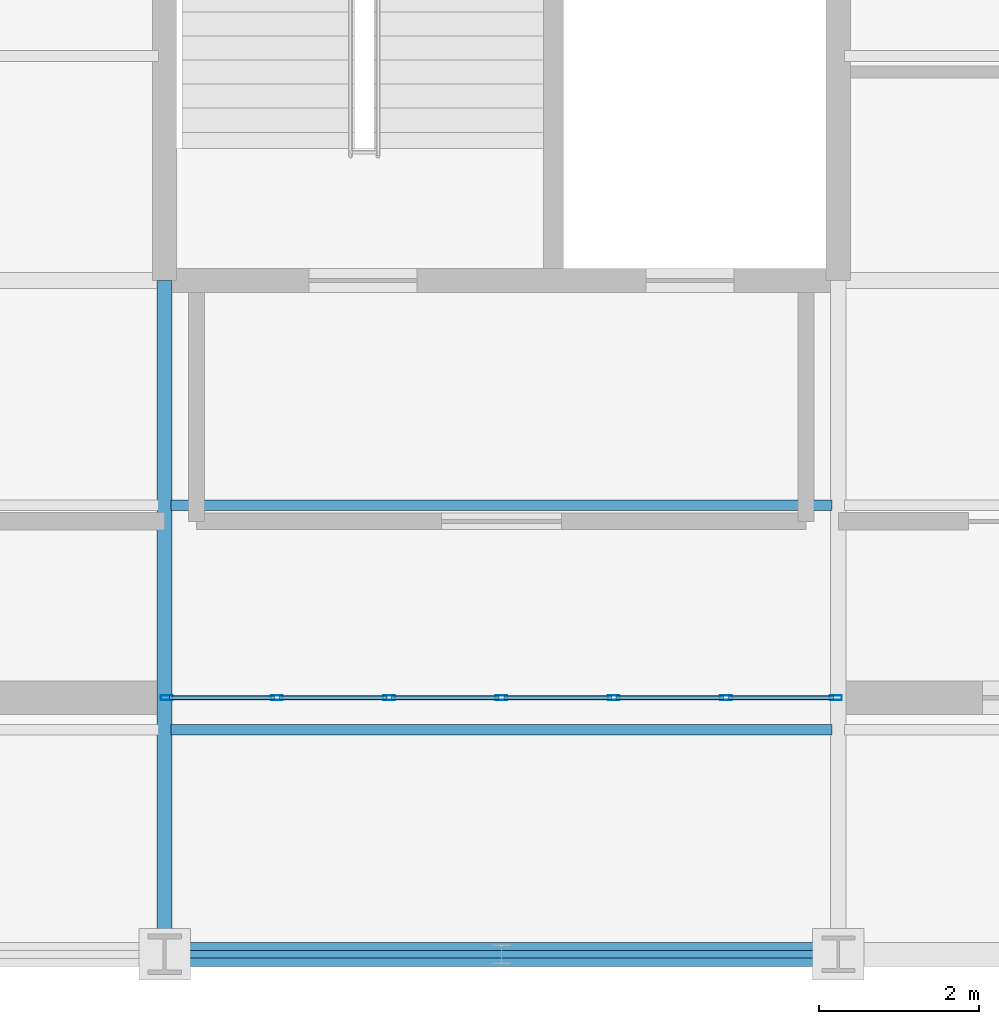
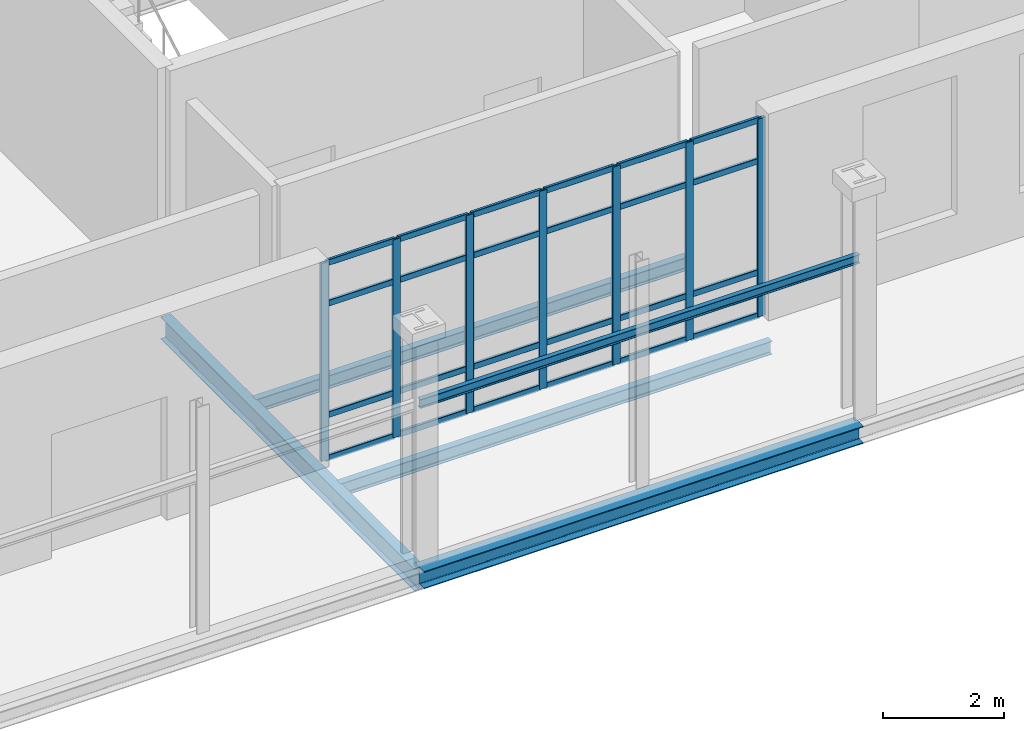
# One storey, part 29 of 145: 31 members, 5 beams, 1 element without a shape of its own.
"""IFC4 building model written with IfcOpenShell, lengths in metres."""

from ifc_helpers import new_model, si_unit, direction, frame, origin, origin_2d, place, context, subcontext, project, spatial, hollow_rectangle, i_section, extrude, material, layer, layer_set, material_profile, profile_set, type_object, element, aggregate, save


model = new_model("IFC4")

# Units and contexts
model_context = context("Model", 3, precision=1e-05, world=origin(), true_north=direction((0.0, 1.0)))
body_context = subcontext(model_context, "Body", "Model", "MODEL_VIEW")
ifc_project = project(units=[si_unit("LENGTHUNIT", "METRE"), si_unit("AREAUNIT", "SQUARE_METRE"), si_unit("VOLUMEUNIT", "CUBIC_METRE"), si_unit("PLANEANGLEUNIT", "RADIAN"), si_unit("MASSUNIT", "GRAM", prefix="KILO")], contexts=[model_context])

# Site, building, storey
site_placement = place(None, origin())
site = spatial("IfcSite", under=ifc_project, at=site_placement, CompositionType="ELEMENT")
building_placement = place(site_placement, origin())
building = spatial("IfcBuilding", under=site, at=building_placement, Name="Qalvenar Corner Mobility Hub", CompositionType="ELEMENT")
storey_placement = place(building_placement, origin())
storey = spatial("IfcBuildingStorey", under=building, at=storey_placement, Name="L00", CompositionType="ELEMENT", Elevation=0.0)

# Beams
ifc_material_1 = material(Name="Steel S355", Category="steel")
ifc_material_profile_1 = material_profile(ifc_material_1, i_section(OverallWidth=0.18994140625, OverallDepth=0.449951171875, WebThickness=0.009521484375, FlangeThickness=0.0146484375, FilletRadius=0.02099609375, at=origin_2d()), Name="IPE450")
ifc_profile_set_1 = profile_set([ifc_material_profile_1], Name="Steel S355")
beam_type_1 = type_object("IfcBeamType", Name="BM-IPE450", PredefinedType="BEAM", material=ifc_profile_set_1)
beam_1_placement = place(storey_placement, frame((33.60009765625, 0.0, -0.445068359375), z_axis=(0.0, 1.0, 0.0), x_axis=(-1.0, 0.0, 0.0)))
element("IfcBeam", 1, at=beam_1_placement, inside=storey, type_object=beam_type_1, Name="Primary Steel Girder GY-0057", PredefinedType="BEAM", context=body_context, shape_type="SweptSolid", body=[
    extrude(i_section(OverallWidth=0.18994140625, OverallDepth=0.449951171875, WebThickness=0.009521484375, FlangeThickness=0.0146484375, FilletRadius=0.02099609375, at=origin_2d()), origin(), (0.0, 0.0, 1.0), 8.39990234375),
])
ifc_material_profile_2 = material_profile(ifc_material_1, i_section(OverallWidth=0.135009765625, OverallDepth=0.27001953125, WebThickness=0.006591796875, FlangeThickness=0.01025390625, FilletRadius=0.014892578125, at=origin_2d()), Name="IPE270")
ifc_profile_set_2 = profile_set([ifc_material_profile_2], Name="Steel S355")
beam_type_2 = type_object("IfcBeamType", Name="BM-JST270", PredefinedType="JOIST", material=ifc_profile_set_2)
for number, where, z_axis, x_axis, name in (
    (2, (33.677978515625, 2.800048828125, -0.35498046875), (1.0, 0.0, 0.0), (0.0, 1.0, 0.0), "Composite Floor Joist J-0111"),
    (3, (33.677978515625, 5.60009765625, -0.35498046875), (1.0, 0.0, 0.0), (0.0, 1.0, 0.0), "Composite Floor Joist J-0112"),
):
    element("IfcBeam", number, at=place(storey_placement, frame(where, z_axis=z_axis, x_axis=x_axis)), inside=storey, type_object=beam_type_2, Name=name, PredefinedType="JOIST", context=body_context, shape_type="SweptSolid", body=[
        extrude(i_section(OverallWidth=0.135009765625, OverallDepth=0.27001953125, WebThickness=0.006591796875, FlangeThickness=0.01025390625, FilletRadius=0.014892578125, at=origin_2d()), origin(), (0.0, 0.0, 1.0), 8.244140625),
    ])
ifc_material_profile_3 = material_profile(ifc_material_1, i_section(OverallWidth=0.091064453125, OverallDepth=0.179931640625, WebThickness=0.00537109375, FlangeThickness=0.008056640625, FilletRadius=0.009033203125, at=origin_2d()), Name="IPE180")
ifc_profile_set_3 = profile_set([ifc_material_profile_3], Name="Steel S355")
beam_type_3 = type_object("IfcBeamType", Name="BM-LNT180", PredefinedType="LINTEL", material=ifc_profile_set_3)
beam_2_placement = place(storey_placement, frame((33.60009765625, 0.0, 3.10009765625), z_axis=(1.0, 0.0, 0.0), x_axis=(0.0, 1.0, 0.0)))
element("IfcBeam", 4, at=beam_2_placement, inside=storey, type_object=beam_type_3, Name="Colonnade Shade Transom PRG-4", PredefinedType="LINTEL", context=body_context, shape_type="SweptSolid", body=[
    extrude(i_section(OverallWidth=0.091064453125, OverallDepth=0.179931640625, WebThickness=0.00537109375, FlangeThickness=0.008056640625, FilletRadius=0.009033203125, at=origin_2d()), origin(), (0.0, 0.0, 1.0), 8.39990234375),
])
ifc_material_profile_4 = material_profile(ifc_material_1, i_section(OverallWidth=0.300048828125, OverallDepth=0.35009765625, WebThickness=0.010009765625, FlangeThickness=0.017578125, FilletRadius=0.027099609375, at=origin_2d()), Name="HEA360")
ifc_profile_set_4 = profile_set([ifc_material_profile_4], Name="Steel S355")
beam_type_4 = type_object("IfcBeamType", Name="BM-SPN360", PredefinedType="SPANDREL", material=ifc_profile_set_4)
beam_3_placement = place(storey_placement, frame((33.60009765625, 0.0, -0.39501953125), z_axis=(1.0, 0.0, 0.0), x_axis=(0.0, 1.0, 0.0)))
element("IfcBeam", 5, at=beam_3_placement, inside=storey, type_object=beam_type_4, Name="Primary Steel Girder GX-0005", PredefinedType="SPANDREL", context=body_context, shape_type="SweptSolid", body=[
    extrude(i_section(OverallWidth=0.300048828125, OverallDepth=0.35009765625, WebThickness=0.010009765625, FlangeThickness=0.017578125, FilletRadius=0.027099609375, at=origin_2d()), origin(), (0.0, 0.0, 1.0), 8.39990234375),
])

# Curtain wall, members
ifc_material_2 = material(Name="Anodised Aluminium and Low-E Glazing", Category="aluminium")
ifc_layer = layer(ifc_material_2, 0.14990234375)
ifc_layer_set = layer_set([ifc_layer], Name="Anodised Aluminium and Low-E Glazing")
curtain_wall_type = type_object("IfcCurtainWallType", Name="CW-CIV-84X40", PredefinedType="NOTDEFINED", material=ifc_layer_set)
curtain_wall_placement = place(storey_placement, origin())
curtain_wall = element("IfcCurtainWall", 6, at=curtain_wall_placement, inside=storey, type_object=curtain_wall_type, Name="Glazed Curtain Wall CW-V3-L00-S002", PredefinedType="NOTDEFINED")
ifc_material_3 = material(Name="Anodised Aluminium 6063-T6", Category="aluminium")
ifc_material_profile_5 = material_profile(ifc_material_3, hollow_rectangle(XDim=0.06005859375, YDim=0.14990234375, WallThickness=0.00390625, InnerFilletRadius=0.00390625, OuterFilletRadius=0.008056640625, at=origin_2d()), Name="RHS150x60x4")
ifc_profile_set_5 = profile_set([ifc_material_profile_5], Name="Anodised Aluminium 6063-T6")
member_type_1 = type_object("IfcMemberType", Name="CW-MUL150", PredefinedType="MULLION", material=ifc_profile_set_5)
member_1_placement = place(storey_placement, frame((33.6298828125, 3.199951171875, 0.0), z_axis=(0.0, 0.0, 1.0), x_axis=(0.0, 1.0, 0.0)))
member_1 = element("IfcMember", 7, at=member_1_placement, type_object=member_type_1, Name="CW-05 mullion 1", PredefinedType="MULLION", context=body_context, shape_type="SweptSolid", body=[
    extrude(hollow_rectangle(XDim=0.06005859375, YDim=0.14990234375, WallThickness=0.00390625, InnerFilletRadius=0.00390625, OuterFilletRadius=0.008056640625, at=origin_2d()), origin(), (0.0, 0.0, 1.0), 4.0),
])
member_2_placement = place(storey_placement, frame((35.0, 3.199951171875, 0.0), z_axis=(0.0, 0.0, 1.0), x_axis=(0.0, 1.0, 0.0)))
member_2 = element("IfcMember", 8, at=member_2_placement, type_object=member_type_1, Name="CW-05 mullion 2", PredefinedType="MULLION", context=body_context, shape_type="SweptSolid", body=[
    extrude(hollow_rectangle(XDim=0.06005859375, YDim=0.14990234375, WallThickness=0.00390625, InnerFilletRadius=0.00390625, OuterFilletRadius=0.008056640625, at=origin_2d()), origin(), (0.0, 0.0, 1.0), 4.0),
])
member_3_placement = place(storey_placement, frame((36.39990234375, 3.199951171875, 0.0), z_axis=(0.0, 0.0, 1.0), x_axis=(0.0, 1.0, 0.0)))
member_3 = element("IfcMember", 9, at=member_3_placement, type_object=member_type_1, Name="CW-05 mullion 3", PredefinedType="MULLION", context=body_context, shape_type="SweptSolid", body=[
    extrude(hollow_rectangle(XDim=0.06005859375, YDim=0.14990234375, WallThickness=0.00390625, InnerFilletRadius=0.00390625, OuterFilletRadius=0.008056640625, at=origin_2d()), origin(), (0.0, 0.0, 1.0), 4.0),
])
member_4_placement = place(storey_placement, frame((37.800048828125, 3.199951171875, 0.0), z_axis=(0.0, 0.0, 1.0), x_axis=(0.0, 1.0, 0.0)))
member_4 = element("IfcMember", 10, at=member_4_placement, type_object=member_type_1, Name="CW-05 mullion 4", PredefinedType="MULLION", context=body_context, shape_type="SweptSolid", body=[
    extrude(hollow_rectangle(XDim=0.06005859375, YDim=0.14990234375, WallThickness=0.00390625, InnerFilletRadius=0.00390625, OuterFilletRadius=0.008056640625, at=origin_2d()), origin(), (0.0, 0.0, 1.0), 4.0),
])
member_5_placement = place(storey_placement, frame((39.199951171875, 3.199951171875, 0.0), z_axis=(0.0, 0.0, 1.0), x_axis=(0.0, 1.0, 0.0)))
member_5 = element("IfcMember", 11, at=member_5_placement, type_object=member_type_1, Name="CW-05 mullion 5", PredefinedType="MULLION", context=body_context, shape_type="SweptSolid", body=[
    extrude(hollow_rectangle(XDim=0.06005859375, YDim=0.14990234375, WallThickness=0.00390625, InnerFilletRadius=0.00390625, OuterFilletRadius=0.008056640625, at=origin_2d()), origin(), (0.0, 0.0, 1.0), 4.0),
])
member_6_placement = place(storey_placement, frame((40.60009765625, 3.199951171875, 0.0), z_axis=(0.0, 0.0, 1.0), x_axis=(0.0, 1.0, 0.0)))
member_6 = element("IfcMember", 12, at=member_6_placement, type_object=member_type_1, Name="CW-05 mullion 6", PredefinedType="MULLION", context=body_context, shape_type="SweptSolid", body=[
    extrude(hollow_rectangle(XDim=0.06005859375, YDim=0.14990234375, WallThickness=0.00390625, InnerFilletRadius=0.00390625, OuterFilletRadius=0.008056640625, at=origin_2d()), origin(), (0.0, 0.0, 1.0), 4.0),
])
member_7_placement = place(storey_placement, frame((41.969970703125, 3.199951171875, 0.0), z_axis=(0.0, 0.0, 1.0), x_axis=(0.0, 1.0, 0.0)))
member_7 = element("IfcMember", 13, at=member_7_placement, type_object=member_type_1, Name="CW-05 mullion 7", PredefinedType="MULLION", context=body_context, shape_type="SweptSolid", body=[
    extrude(hollow_rectangle(XDim=0.06005859375, YDim=0.14990234375, WallThickness=0.00390625, InnerFilletRadius=0.00390625, OuterFilletRadius=0.008056640625, at=origin_2d()), origin(), (0.0, 0.0, 1.0), 4.0),
])
ifc_material_profile_6 = material_profile(ifc_material_3, hollow_rectangle(XDim=0.054931640625, YDim=0.1201171875, WallThickness=0.00341796875, InnerFilletRadius=0.00341796875, OuterFilletRadius=0.007080078125, at=origin_2d()), Name="RHS120x55x3.5")
ifc_profile_set_6 = profile_set([ifc_material_profile_6], Name="Anodised Aluminium 6063-T6")
member_type_2 = type_object("IfcMemberType", Name="CW-TRN120", PredefinedType="USERDEFINED", material=ifc_profile_set_6)
member_8_placement = place(storey_placement, frame((33.659912109375, 3.199951171875, 0.027587890625), z_axis=(1.0, 0.0, 0.0), x_axis=(0.0, 1.0, 0.0)))
member_8 = element("IfcMember", 14, at=member_8_placement, type_object=member_type_2, Name="CW-05 transom 1.1", ObjectType="TRANSOM", PredefinedType="USERDEFINED", context=body_context, shape_type="SweptSolid", body=[
    extrude(hollow_rectangle(XDim=0.054931640625, YDim=0.1201171875, WallThickness=0.00341796875, InnerFilletRadius=0.00341796875, OuterFilletRadius=0.007080078125, at=origin_2d()), origin(), (0.0, 0.0, 1.0), 1.31005859375),
])
member_9_placement = place(storey_placement, frame((33.659912109375, 3.199951171875, 0.89990234375), z_axis=(1.0, 0.0, 0.0), x_axis=(0.0, 1.0, 0.0)))
member_9 = element("IfcMember", 15, at=member_9_placement, type_object=member_type_2, Name="CW-05 transom 1.2", ObjectType="TRANSOM", PredefinedType="USERDEFINED", context=body_context, shape_type="SweptSolid", body=[
    extrude(hollow_rectangle(XDim=0.054931640625, YDim=0.1201171875, WallThickness=0.00341796875, InnerFilletRadius=0.00341796875, OuterFilletRadius=0.007080078125, at=origin_2d()), origin(), (0.0, 0.0, 1.0), 1.31005859375),
])
member_10_placement = place(storey_placement, frame((33.659912109375, 3.199951171875, 3.14990234375), z_axis=(1.0, 0.0, 0.0), x_axis=(0.0, 1.0, 0.0)))
member_10 = element("IfcMember", 16, at=member_10_placement, type_object=member_type_2, Name="CW-05 transom 1.3", ObjectType="TRANSOM", PredefinedType="USERDEFINED", context=body_context, shape_type="SweptSolid", body=[
    extrude(hollow_rectangle(XDim=0.054931640625, YDim=0.1201171875, WallThickness=0.00341796875, InnerFilletRadius=0.00341796875, OuterFilletRadius=0.007080078125, at=origin_2d()), origin(), (0.0, 0.0, 1.0), 1.31005859375),
])
member_11_placement = place(storey_placement, frame((33.659912109375, 3.199951171875, 3.972412109375), z_axis=(1.0, 0.0, 0.0), x_axis=(0.0, 1.0, 0.0)))
member_11 = element("IfcMember", 17, at=member_11_placement, type_object=member_type_2, Name="CW-05 transom 1.4", ObjectType="TRANSOM", PredefinedType="USERDEFINED", context=body_context, shape_type="SweptSolid", body=[
    extrude(hollow_rectangle(XDim=0.054931640625, YDim=0.1201171875, WallThickness=0.00341796875, InnerFilletRadius=0.00341796875, OuterFilletRadius=0.007080078125, at=origin_2d()), origin(), (0.0, 0.0, 1.0), 1.31005859375),
])
member_12_placement = place(storey_placement, frame((35.030029296875, 3.199951171875, 0.027587890625), z_axis=(1.0, 0.0, 0.0), x_axis=(0.0, 1.0, 0.0)))
member_12 = element("IfcMember", 18, at=member_12_placement, type_object=member_type_2, Name="CW-05 transom 2.1", ObjectType="TRANSOM", PredefinedType="USERDEFINED", context=body_context, shape_type="SweptSolid", body=[
    extrude(hollow_rectangle(XDim=0.054931640625, YDim=0.1201171875, WallThickness=0.00341796875, InnerFilletRadius=0.00341796875, OuterFilletRadius=0.007080078125, at=origin_2d()), origin(), (0.0, 0.0, 1.0), 1.340087890625),
])
member_13_placement = place(storey_placement, frame((35.030029296875, 3.199951171875, 0.89990234375), z_axis=(1.0, 0.0, 0.0), x_axis=(0.0, 1.0, 0.0)))
member_13 = element("IfcMember", 19, at=member_13_placement, type_object=member_type_2, Name="CW-05 transom 2.2", ObjectType="TRANSOM", PredefinedType="USERDEFINED", context=body_context, shape_type="SweptSolid", body=[
    extrude(hollow_rectangle(XDim=0.054931640625, YDim=0.1201171875, WallThickness=0.00341796875, InnerFilletRadius=0.00341796875, OuterFilletRadius=0.007080078125, at=origin_2d()), origin(), (0.0, 0.0, 1.0), 1.340087890625),
])
member_14_placement = place(storey_placement, frame((35.030029296875, 3.199951171875, 3.14990234375), z_axis=(1.0, 0.0, 0.0), x_axis=(0.0, 1.0, 0.0)))
member_14 = element("IfcMember", 20, at=member_14_placement, type_object=member_type_2, Name="CW-05 transom 2.3", ObjectType="TRANSOM", PredefinedType="USERDEFINED", context=body_context, shape_type="SweptSolid", body=[
    extrude(hollow_rectangle(XDim=0.054931640625, YDim=0.1201171875, WallThickness=0.00341796875, InnerFilletRadius=0.00341796875, OuterFilletRadius=0.007080078125, at=origin_2d()), origin(), (0.0, 0.0, 1.0), 1.340087890625),
])
member_15_placement = place(storey_placement, frame((35.030029296875, 3.199951171875, 3.972412109375), z_axis=(1.0, 0.0, 0.0), x_axis=(0.0, 1.0, 0.0)))
member_15 = element("IfcMember", 21, at=member_15_placement, type_object=member_type_2, Name="CW-05 transom 2.4", ObjectType="TRANSOM", PredefinedType="USERDEFINED", context=body_context, shape_type="SweptSolid", body=[
    extrude(hollow_rectangle(XDim=0.054931640625, YDim=0.1201171875, WallThickness=0.00341796875, InnerFilletRadius=0.00341796875, OuterFilletRadius=0.007080078125, at=origin_2d()), origin(), (0.0, 0.0, 1.0), 1.340087890625),
])
member_16_placement = place(storey_placement, frame((36.429931640625, 3.199951171875, 0.027587890625), z_axis=(1.0, 0.0, 0.0), x_axis=(0.0, 1.0, 0.0)))
member_16 = element("IfcMember", 22, at=member_16_placement, type_object=member_type_2, Name="CW-05 transom 3.1", ObjectType="TRANSOM", PredefinedType="USERDEFINED", context=body_context, shape_type="SweptSolid", body=[
    extrude(hollow_rectangle(XDim=0.054931640625, YDim=0.1201171875, WallThickness=0.00341796875, InnerFilletRadius=0.00341796875, OuterFilletRadius=0.007080078125, at=origin_2d()), origin(), (0.0, 0.0, 1.0), 1.340087890625),
])
member_17_placement = place(storey_placement, frame((36.429931640625, 3.199951171875, 0.89990234375), z_axis=(1.0, 0.0, 0.0), x_axis=(0.0, 1.0, 0.0)))
member_17 = element("IfcMember", 23, at=member_17_placement, type_object=member_type_2, Name="CW-05 transom 3.2", ObjectType="TRANSOM", PredefinedType="USERDEFINED", context=body_context, shape_type="SweptSolid", body=[
    extrude(hollow_rectangle(XDim=0.054931640625, YDim=0.1201171875, WallThickness=0.00341796875, InnerFilletRadius=0.00341796875, OuterFilletRadius=0.007080078125, at=origin_2d()), origin(), (0.0, 0.0, 1.0), 1.340087890625),
])
member_18_placement = place(storey_placement, frame((36.429931640625, 3.199951171875, 3.14990234375), z_axis=(1.0, 0.0, 0.0), x_axis=(0.0, 1.0, 0.0)))
member_18 = element("IfcMember", 24, at=member_18_placement, type_object=member_type_2, Name="CW-05 transom 3.3", ObjectType="TRANSOM", PredefinedType="USERDEFINED", context=body_context, shape_type="SweptSolid", body=[
    extrude(hollow_rectangle(XDim=0.054931640625, YDim=0.1201171875, WallThickness=0.00341796875, InnerFilletRadius=0.00341796875, OuterFilletRadius=0.007080078125, at=origin_2d()), origin(), (0.0, 0.0, 1.0), 1.340087890625),
])
member_19_placement = place(storey_placement, frame((36.429931640625, 3.199951171875, 3.972412109375), z_axis=(1.0, 0.0, 0.0), x_axis=(0.0, 1.0, 0.0)))
member_19 = element("IfcMember", 25, at=member_19_placement, type_object=member_type_2, Name="CW-05 transom 3.4", ObjectType="TRANSOM", PredefinedType="USERDEFINED", context=body_context, shape_type="SweptSolid", body=[
    extrude(hollow_rectangle(XDim=0.054931640625, YDim=0.1201171875, WallThickness=0.00341796875, InnerFilletRadius=0.00341796875, OuterFilletRadius=0.007080078125, at=origin_2d()), origin(), (0.0, 0.0, 1.0), 1.340087890625),
])
member_20_placement = place(storey_placement, frame((37.830078125, 3.199951171875, 0.027587890625), z_axis=(1.0, 0.0, 0.0), x_axis=(0.0, 1.0, 0.0)))
member_20 = element("IfcMember", 26, at=member_20_placement, type_object=member_type_2, Name="CW-05 transom 4.1", ObjectType="TRANSOM", PredefinedType="USERDEFINED", context=body_context, shape_type="SweptSolid", body=[
    extrude(hollow_rectangle(XDim=0.054931640625, YDim=0.1201171875, WallThickness=0.00341796875, InnerFilletRadius=0.00341796875, OuterFilletRadius=0.007080078125, at=origin_2d()), origin(), (0.0, 0.0, 1.0), 1.33984375),
])
member_21_placement = place(storey_placement, frame((37.830078125, 3.199951171875, 0.89990234375), z_axis=(1.0, 0.0, 0.0), x_axis=(0.0, 1.0, 0.0)))
member_21 = element("IfcMember", 27, at=member_21_placement, type_object=member_type_2, Name="CW-05 transom 4.2", ObjectType="TRANSOM", PredefinedType="USERDEFINED", context=body_context, shape_type="SweptSolid", body=[
    extrude(hollow_rectangle(XDim=0.054931640625, YDim=0.1201171875, WallThickness=0.00341796875, InnerFilletRadius=0.00341796875, OuterFilletRadius=0.007080078125, at=origin_2d()), origin(), (0.0, 0.0, 1.0), 1.33984375),
])
member_22_placement = place(storey_placement, frame((37.830078125, 3.199951171875, 3.14990234375), z_axis=(1.0, 0.0, 0.0), x_axis=(0.0, 1.0, 0.0)))
member_22 = element("IfcMember", 28, at=member_22_placement, type_object=member_type_2, Name="CW-05 transom 4.3", ObjectType="TRANSOM", PredefinedType="USERDEFINED", context=body_context, shape_type="SweptSolid", body=[
    extrude(hollow_rectangle(XDim=0.054931640625, YDim=0.1201171875, WallThickness=0.00341796875, InnerFilletRadius=0.00341796875, OuterFilletRadius=0.007080078125, at=origin_2d()), origin(), (0.0, 0.0, 1.0), 1.33984375),
])
member_23_placement = place(storey_placement, frame((37.830078125, 3.199951171875, 3.972412109375), z_axis=(1.0, 0.0, 0.0), x_axis=(0.0, 1.0, 0.0)))
member_23 = element("IfcMember", 29, at=member_23_placement, type_object=member_type_2, Name="CW-05 transom 4.4", ObjectType="TRANSOM", PredefinedType="USERDEFINED", context=body_context, shape_type="SweptSolid", body=[
    extrude(hollow_rectangle(XDim=0.054931640625, YDim=0.1201171875, WallThickness=0.00341796875, InnerFilletRadius=0.00341796875, OuterFilletRadius=0.007080078125, at=origin_2d()), origin(), (0.0, 0.0, 1.0), 1.33984375),
])
member_24_placement = place(storey_placement, frame((39.22998046875, 3.199951171875, 0.027587890625), z_axis=(1.0, 0.0, 0.0), x_axis=(0.0, 1.0, 0.0)))
member_24 = element("IfcMember", 30, at=member_24_placement, type_object=member_type_2, Name="CW-05 transom 5.1", ObjectType="TRANSOM", PredefinedType="USERDEFINED", context=body_context, shape_type="SweptSolid", body=[
    extrude(hollow_rectangle(XDim=0.054931640625, YDim=0.1201171875, WallThickness=0.00341796875, InnerFilletRadius=0.00341796875, OuterFilletRadius=0.007080078125, at=origin_2d()), origin(), (0.0, 0.0, 1.0), 1.340087890625),
])
member_25_placement = place(storey_placement, frame((39.22998046875, 3.199951171875, 0.89990234375), z_axis=(1.0, 0.0, 0.0), x_axis=(0.0, 1.0, 0.0)))
member_25 = element("IfcMember", 31, at=member_25_placement, type_object=member_type_2, Name="CW-05 transom 5.2", ObjectType="TRANSOM", PredefinedType="USERDEFINED", context=body_context, shape_type="SweptSolid", body=[
    extrude(hollow_rectangle(XDim=0.054931640625, YDim=0.1201171875, WallThickness=0.00341796875, InnerFilletRadius=0.00341796875, OuterFilletRadius=0.007080078125, at=origin_2d()), origin(), (0.0, 0.0, 1.0), 1.340087890625),
])
member_26_placement = place(storey_placement, frame((39.22998046875, 3.199951171875, 3.14990234375), z_axis=(1.0, 0.0, 0.0), x_axis=(0.0, 1.0, 0.0)))
member_26 = element("IfcMember", 32, at=member_26_placement, type_object=member_type_2, Name="CW-05 transom 5.3", ObjectType="TRANSOM", PredefinedType="USERDEFINED", context=body_context, shape_type="SweptSolid", body=[
    extrude(hollow_rectangle(XDim=0.054931640625, YDim=0.1201171875, WallThickness=0.00341796875, InnerFilletRadius=0.00341796875, OuterFilletRadius=0.007080078125, at=origin_2d()), origin(), (0.0, 0.0, 1.0), 1.340087890625),
])
member_27_placement = place(storey_placement, frame((39.22998046875, 3.199951171875, 3.972412109375), z_axis=(1.0, 0.0, 0.0), x_axis=(0.0, 1.0, 0.0)))
member_27 = element("IfcMember", 33, at=member_27_placement, type_object=member_type_2, Name="CW-05 transom 5.4", ObjectType="TRANSOM", PredefinedType="USERDEFINED", context=body_context, shape_type="SweptSolid", body=[
    extrude(hollow_rectangle(XDim=0.054931640625, YDim=0.1201171875, WallThickness=0.00341796875, InnerFilletRadius=0.00341796875, OuterFilletRadius=0.007080078125, at=origin_2d()), origin(), (0.0, 0.0, 1.0), 1.340087890625),
])
member_28_placement = place(storey_placement, frame((40.6298828125, 3.199951171875, 0.027587890625), z_axis=(1.0, 0.0, 0.0), x_axis=(0.0, 1.0, 0.0)))
member_28 = element("IfcMember", 34, at=member_28_placement, type_object=member_type_2, Name="CW-05 transom 6.1", ObjectType="TRANSOM", PredefinedType="USERDEFINED", context=body_context, shape_type="SweptSolid", body=[
    extrude(hollow_rectangle(XDim=0.054931640625, YDim=0.1201171875, WallThickness=0.00341796875, InnerFilletRadius=0.00341796875, OuterFilletRadius=0.007080078125, at=origin_2d()), origin(), (0.0, 0.0, 1.0), 1.31005859375),
])
member_29_placement = place(storey_placement, frame((40.6298828125, 3.199951171875, 0.89990234375), z_axis=(1.0, 0.0, 0.0), x_axis=(0.0, 1.0, 0.0)))
member_29 = element("IfcMember", 35, at=member_29_placement, type_object=member_type_2, Name="CW-05 transom 6.2", ObjectType="TRANSOM", PredefinedType="USERDEFINED", context=body_context, shape_type="SweptSolid", body=[
    extrude(hollow_rectangle(XDim=0.054931640625, YDim=0.1201171875, WallThickness=0.00341796875, InnerFilletRadius=0.00341796875, OuterFilletRadius=0.007080078125, at=origin_2d()), origin(), (0.0, 0.0, 1.0), 1.31005859375),
])
member_30_placement = place(storey_placement, frame((40.6298828125, 3.199951171875, 3.14990234375), z_axis=(1.0, 0.0, 0.0), x_axis=(0.0, 1.0, 0.0)))
member_30 = element("IfcMember", 36, at=member_30_placement, type_object=member_type_2, Name="CW-05 transom 6.3", ObjectType="TRANSOM", PredefinedType="USERDEFINED", context=body_context, shape_type="SweptSolid", body=[
    extrude(hollow_rectangle(XDim=0.054931640625, YDim=0.1201171875, WallThickness=0.00341796875, InnerFilletRadius=0.00341796875, OuterFilletRadius=0.007080078125, at=origin_2d()), origin(), (0.0, 0.0, 1.0), 1.31005859375),
])
member_31_placement = place(storey_placement, frame((40.6298828125, 3.199951171875, 3.972412109375), z_axis=(1.0, 0.0, 0.0), x_axis=(0.0, 1.0, 0.0)))
member_31 = element("IfcMember", 37, at=member_31_placement, type_object=member_type_2, Name="CW-05 transom 6.4", ObjectType="TRANSOM", PredefinedType="USERDEFINED", context=body_context, shape_type="SweptSolid", body=[
    extrude(hollow_rectangle(XDim=0.054931640625, YDim=0.1201171875, WallThickness=0.00341796875, InnerFilletRadius=0.00341796875, OuterFilletRadius=0.007080078125, at=origin_2d()), origin(), (0.0, 0.0, 1.0), 1.31005859375),
])
aggregate(curtain_wall, [member_1, member_2, member_3, member_4, member_5, member_6, member_7, member_8, member_9, member_10, member_11, member_12, member_13, member_14, member_15, member_16, member_17, member_18, member_19, member_20, member_21, member_22, member_23, member_24, member_25, member_26, member_27, member_28, member_29, member_30, member_31])

save(model, "model.ifc")
